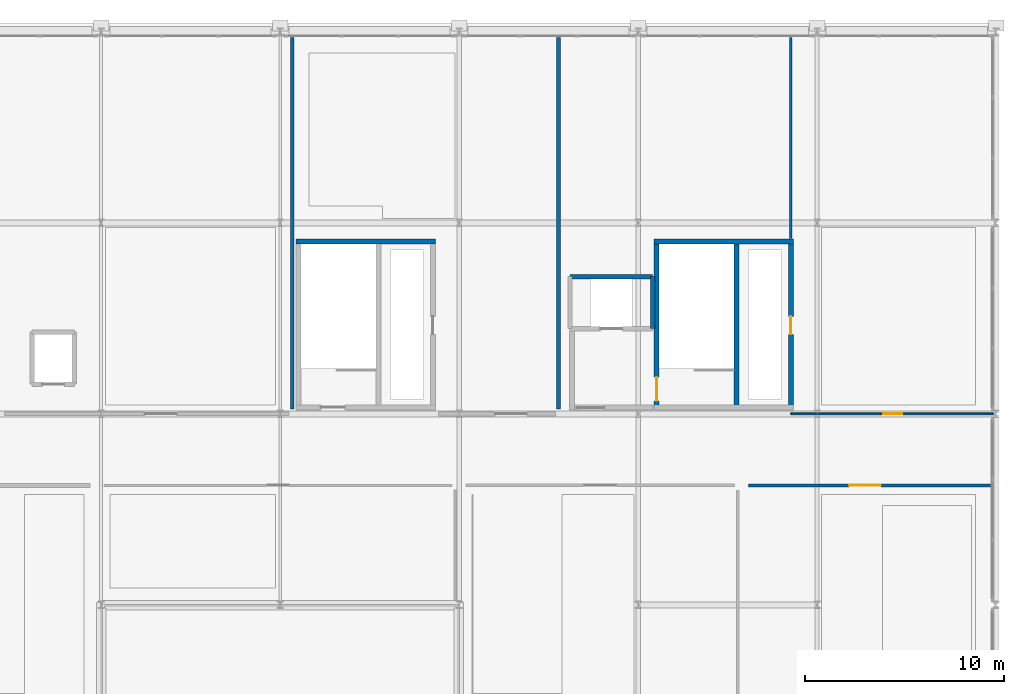
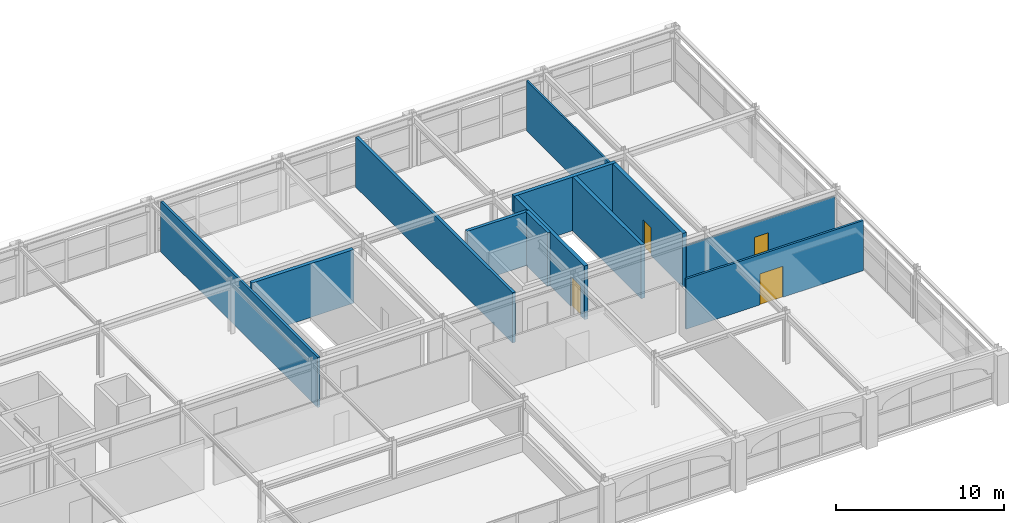
# One storey, part 22 of 25: 12 walls, 4 doors, 4 openings.
"""IFC4 building model written with IfcOpenShell, lengths in metres."""

from ifc_helpers import new_model, si_unit, direction, frame, frame_2d, origin, place, context, subcontext, project, spatial, rectangle, extrude, material, layer, layer_set, type_object, element, fill, save


model = new_model("IFC4")

# Units and contexts
model_context = context("Model", 3, precision=1e-05, world=origin(), true_north=direction((0.0, 1.0)))
body_context = subcontext(model_context, "Body", "Model", "MODEL_VIEW")
ifc_project = project(units=[si_unit("LENGTHUNIT", "METRE"), si_unit("AREAUNIT", "SQUARE_METRE"), si_unit("VOLUMEUNIT", "CUBIC_METRE"), si_unit("PLANEANGLEUNIT", "RADIAN"), si_unit("MASSUNIT", "GRAM", prefix="KILO")], contexts=[model_context])

# Site, building, storey
site_placement = place(None, origin())
site = spatial("IfcSite", under=ifc_project, at=site_placement, CompositionType="ELEMENT")
building_placement = place(site_placement, origin())
building = spatial("IfcBuilding", under=site, at=building_placement, Name="Myrtia Square Station", CompositionType="ELEMENT")
storey_placement = place(building_placement, frame((0.0, 0.0, 18.89990234375)))
storey = spatial("IfcBuildingStorey", under=building, at=storey_placement, Name="L04", CompositionType="ELEMENT", Elevation=18.89990234375)

# Wall
ifc_material_1 = material(Name="Concrete C35/45", Category="concrete")
ifc_layer_1 = layer(ifc_material_1, 0.25, Name="Concrete C35/45")
ifc_layer_set_1 = layer_set([ifc_layer_1], Name="Concrete C35/45")
wall_type_1 = type_object("IfcWallType", Name="WL-CORE-250", PredefinedType="SHEAR", material=ifc_layer_set_1)
wall_1_placement = place(storey_placement, frame((171.800048828125, 114.27490234375, 0.0), z_axis=(0.0, 0.0, 1.0), x_axis=(1.0, 0.0, 0.0)))
element("IfcWall", 1, at=wall_1_placement, inside=storey, type_object=wall_type_1, Name="Core K8 shear wall L04 N", PredefinedType="SHEAR", context=body_context, shape_type="SweptSolid", body=[
    extrude(rectangle(XDim=7.0, YDim=0.25, at=frame_2d((3.5, 0.0))), origin(), (0.0, 0.0, 1.0), 3.900146484375),
])

# Wall, opening, door
wall_2_placement = place(storey_placement, frame((171.925048828125, 105.800048828125, 0.0), z_axis=(0.0, 0.0, 1.0), x_axis=(0.0, 1.0, 0.0)))
wall_2 = element("IfcWall", 2, at=wall_2_placement, inside=storey, type_object=wall_type_1, Name="Core K8 shear wall L04 W", PredefinedType="SHEAR", context=body_context, shape_type="SweptSolid", body=[
    extrude(rectangle(XDim=8.599853515625, YDim=0.25, at=frame_2d((4.2998046875, 0.0))), origin(), (0.0, 0.0, 1.0), 3.900146484375),
])
opening_1_placement = place(wall_2_placement, frame((0.449951171875, 0.0, 0.0)))
opening_1 = element("IfcOpeningElement", 3, at=opening_1_placement, cuts=wall_2, Name="Opening SD-140", PredefinedType="OPENING", context=body_context, shape_type="SweptSolid", body=[
    extrude(rectangle(XDim=1.199951171875, YDim=2.14990234375, at=frame_2d((0.60009765625, 1.074951171875))), frame((0.0, 0.139892578125, 0.0), z_axis=(0.0, -1.0, 0.0), x_axis=(1.0, 0.0, 0.0)), (0.0, 0.0, 1.0), 0.280029296875),
])
ifc_material_2 = material(Name="Dark bronze anodised aluminium", Category="aluminium")
door_type_1 = type_object("IfcDoorType", Name="DR-STAIR-1200x2150", OperationType="NOTDEFINED", PredefinedType="DOOR", material=ifc_material_2)
door_1_placement = place(opening_1_placement, frame((1.199951171875, 0.0, 0.0), z_axis=(0.0, 0.0, 1.0), x_axis=(-1.0, 0.0, 0.0)))
door_1 = element("IfcDoor", 4, at=door_1_placement, inside=storey, type_object=door_type_1, Name="Protected stair fire door K8 L04", OperationType="SINGLE_SWING_RIGHT", OverallHeight=2.14990234375, OverallWidth=1.199951171875, PredefinedType="DOOR", context=body_context, shape_type="SweptSolid", body=[
    extrude(rectangle(XDim=1.199951171875, YDim=2.14990234375, at=frame_2d((0.60009765625, 1.074951171875))), frame((0.0, 0.02490234375, 0.0), z_axis=(0.0, -1.0, 0.0), x_axis=(1.0, 0.0, 0.0)), (0.0, 0.0, 1.0), 0.050048828125),
])
fill(opening_1, door_1)

wall_3_placement = place(storey_placement, frame((178.675048828125, 105.800048828125, 0.0), z_axis=(0.0, 0.0, 1.0), x_axis=(0.0, 1.0, 0.0)))
wall_3 = element("IfcWall", 5, at=wall_3_placement, inside=storey, type_object=wall_type_1, Name="Core K8 shear wall L04 E", PredefinedType="SHEAR", context=body_context, shape_type="SweptSolid", body=[
    extrude(rectangle(XDim=8.599853515625, YDim=0.25, at=frame_2d((4.2998046875, 0.0))), origin(), (0.0, 0.0, 1.0), 3.900146484375),
])
opening_2_placement = place(wall_3_placement, frame((3.800048828125, 0.0, 0.0)))
opening_2 = element("IfcOpeningElement", 6, at=opening_2_placement, cuts=wall_3, Name="Opening RD-141", PredefinedType="OPENING", context=body_context, shape_type="SweptSolid", body=[
    extrude(rectangle(XDim=0.89990234375, YDim=2.050048828125, at=frame_2d((0.449951171875, 1.02490234375))), frame((0.0, 0.139892578125, 0.0), z_axis=(0.0, -1.0, 0.0), x_axis=(1.0, 0.0, 0.0)), (0.0, 0.0, 1.0), 0.280029296875),
])
door_type_2 = type_object("IfcDoorType", Name="DR-RISER-900x2050", OperationType="NOTDEFINED", PredefinedType="DOOR", material=ifc_material_2)
door_2_placement = place(opening_2_placement, origin())
door_2 = element("IfcDoor", 7, at=door_2_placement, inside=storey, type_object=door_type_2, Name="Riser cupboard access door K8 L04", OperationType="SINGLE_SWING_LEFT", OverallHeight=2.050048828125, OverallWidth=0.89990234375, PredefinedType="DOOR", context=body_context, shape_type="SweptSolid", body=[
    extrude(rectangle(XDim=0.89990234375, YDim=2.050048828125, at=frame_2d((0.449951171875, 1.02490234375))), frame((0.0, 0.02490234375, 0.0), z_axis=(0.0, -1.0, 0.0), x_axis=(1.0, 0.0, 0.0)), (0.0, 0.0, 1.0), 0.050048828125),
])
fill(opening_2, door_2)

# Walls
wall_4_placement = place(storey_placement, frame((175.93994140625, 106.0, 0.0), z_axis=(0.0, 0.0, 1.0), x_axis=(0.0, 1.0, 0.0)))
element("IfcWall", 8, at=wall_4_placement, inside=storey, type_object=wall_type_1, Name="Core K8 shear wall L04 D", PredefinedType="SHEAR", context=body_context, shape_type="SweptSolid", body=[
    extrude(rectangle(XDim=8.199951171875, YDim=0.25, at=frame_2d((4.10009765625, 0.0))), origin(), (0.0, 0.0, 1.0), 3.900146484375),
])
wall_5_placement = place(storey_placement, frame((153.800048828125, 114.27490234375, 0.0), z_axis=(0.0, 0.0, 1.0), x_axis=(1.0, 0.0, 0.0)))
element("IfcWall", 9, at=wall_5_placement, inside=storey, type_object=wall_type_1, Name="Core K15 shear wall L04 N", PredefinedType="SHEAR", context=body_context, shape_type="SweptSolid", body=[
    extrude(rectangle(XDim=7.0, YDim=0.25, at=frame_2d((3.5, 0.0))), origin(), (0.0, 0.0, 1.0), 3.900146484375),
])
ifc_layer_2 = layer(ifc_material_1, 0.219970703125, Name="Concrete C35/45")
ifc_layer_set_2 = layer_set([ifc_layer_2], Name="Concrete C35/45")
wall_type_2 = type_object("IfcWallType", Name="WL-LIFT-220", PredefinedType="SHEAR", material=ifc_layer_set_2)
wall_6_placement = place(storey_placement, frame((167.570068359375, 112.5, 0.0), z_axis=(0.0, 0.0, 1.0), x_axis=(1.0, 0.0, 0.0)))
element("IfcWall", 10, at=wall_6_placement, inside=storey, type_object=wall_type_2, Name="Lift shaft wall FFL-04 L04 +Y", PredefinedType="SHEAR", context=body_context, shape_type="SweptSolid", body=[
    extrude(rectangle(XDim=4.159912109375, YDim=0.219970703125, at=frame_2d((2.080078125, 0.0))), origin(), (0.0, 0.0, 1.0), 3.900146484375),
])
wall_7_placement = place(storey_placement, frame((171.72998046875, 109.8798828125, 0.0), z_axis=(0.0, 0.0, 1.0), x_axis=(0.0, 1.0, 0.0)))
element("IfcWall", 11, at=wall_7_placement, inside=storey, type_object=wall_type_2, Name="Lift shaft wall FFL-04 L04 +X", PredefinedType="SHEAR", context=body_context, shape_type="SweptSolid", body=[
    extrude(rectangle(XDim=2.6201171875, YDim=0.219970703125, at=frame_2d((1.31005859375, 0.0))), origin(), (0.0, 0.0, 1.0), 3.900146484375),
])

# Wall, opening, door
ifc_material_3 = material(Name="Gypsum plasterboard")
ifc_layer_3 = layer(ifc_material_3, 0.10009765625, Name="Gypsum plasterboard")
ifc_layer_set_3 = layer_set([ifc_layer_3], Name="Gypsum plasterboard")
wall_type_3 = type_object("IfcWallType", Name="WL-PART-100", PredefinedType="PARTITIONING", material=ifc_layer_set_3)
wall_8_placement = place(storey_placement, frame((178.679931640625, 105.60009765625, 0.0), z_axis=(0.0, 0.0, 1.0), x_axis=(1.0, 0.0, 0.0)))
wall_8 = element("IfcWall", 12, at=wall_8_placement, inside=storey, type_object=wall_type_3, Name="Interior partition wall L04-08", PredefinedType="PARTITIONING", context=body_context, shape_type="SweptSolid", body=[
    extrude(rectangle(XDim=10.1650390625, YDim=0.10009765625, at=frame_2d((5.08251953125, 0.0))), origin(), (0.0, 0.0, 1.0), 3.135009765625),
])
opening_3_placement = place(wall_8_placement, frame((4.64501953125, 0.0, 0.0)))
opening_3 = element("IfcOpeningElement", 13, at=opening_3_placement, cuts=wall_8, Name="Opening D-285", PredefinedType="OPENING", context=body_context, shape_type="SweptSolid", body=[
    extrude(rectangle(XDim=0.949951171875, YDim=2.10009765625, at=frame_2d((0.47509765625, 1.050048828125))), frame((0.0, 0.06494140625, 0.0), z_axis=(0.0, -1.0, 0.0), x_axis=(1.0, 0.0, 0.0)), (0.0, 0.0, 1.0), 0.130126953125),
])
ifc_material_4 = material(Name="Acoustic European oak timber", Category="wood")
door_type_3 = type_object("IfcDoorType", Name="DR-WC-950x2100", OperationType="NOTDEFINED", PredefinedType="DOOR", material=ifc_material_4)
door_3_placement = place(opening_3_placement, frame((0.949951171875, 0.0, 0.0), z_axis=(0.0, 0.0, 1.0), x_axis=(-1.0, 0.0, 0.0)))
door_3 = element("IfcDoor", 14, at=door_3_placement, inside=storey, type_object=door_type_3, Name="Management Floor Sanitary and Accessible WC door D-285", OperationType="SINGLE_SWING_RIGHT", OverallHeight=2.10009765625, OverallWidth=0.949951171875, PredefinedType="DOOR", context=body_context, shape_type="SweptSolid", body=[
    extrude(rectangle(XDim=0.949951171875, YDim=2.10009765625, at=frame_2d((0.47509765625, 1.050048828125))), frame((0.0, 0.02490234375, 0.0), z_axis=(0.0, -1.0, 0.0), x_axis=(1.0, 0.0, 0.0)), (0.0, 0.0, 1.0), 0.050048828125),
])
fill(opening_3, door_3)

# Wall
ifc_layer_4 = layer(ifc_material_3, 0.125, Name="Gypsum plasterboard")
ifc_layer_set_4 = layer_set([ifc_layer_4], Name="Gypsum plasterboard")
wall_type_4 = type_object("IfcWallType", Name="WL-PART-125", PredefinedType="PARTITIONING", material=ifc_layer_set_4)
wall_9_placement = place(storey_placement, frame((178.675048828125, 114.409912109375, 0.0), z_axis=(0.0, 0.0, 1.0), x_axis=(0.0, 1.0, 0.0)))
element("IfcWall", 15, at=wall_9_placement, inside=storey, type_object=wall_type_4, Name="Sanitary enclosure partition L04-08", PredefinedType="PARTITIONING", context=body_context, shape_type="SweptSolid", body=[
    extrude(rectangle(XDim=10.10009765625, YDim=0.125, at=frame_2d((5.050048828125, 0.0))), origin(), (0.0, 0.0, 1.0), 3.64013671875),
])

# Wall, opening, door
ifc_layer_5 = layer(ifc_material_3, 0.14990234375, Name="Gypsum plasterboard")
ifc_layer_set_5 = layer_set([ifc_layer_5], Name="Gypsum plasterboard")
wall_type_5 = type_object("IfcWallType", Name="WL-PART-150", PredefinedType="PARTITIONING", material=ifc_layer_set_5)
wall_10_placement = place(storey_placement, frame((176.550048828125, 102.0, 0.0), z_axis=(0.0, 0.0, 1.0), x_axis=(1.0, 0.0, 0.0)))
wall_10 = element("IfcWall", 16, at=wall_10_placement, inside=storey, type_object=wall_type_5, Name="Interior partition wall L04-04", PredefinedType="PARTITIONING", context=body_context, shape_type="SweptSolid", body=[
    extrude(rectangle(XDim=12.1650390625, YDim=0.14990234375, at=frame_2d((6.08251953125, 0.0))), origin(), (0.0, 0.0, 1.0), 3.64013671875),
])
opening_4_placement = place(wall_10_placement, frame((5.050048828125, 0.0, 0.0)))
opening_4 = element("IfcOpeningElement", 17, at=opening_4_placement, cuts=wall_10, Name="Opening D-282", PredefinedType="OPENING", context=body_context, shape_type="SweptSolid", body=[
    extrude(rectangle(XDim=1.60009765625, YDim=2.25, at=frame_2d((0.800048828125, 1.125))), frame((0.0, 0.08984375, 0.0), z_axis=(0.0, -1.0, 0.0), x_axis=(1.0, 0.0, 0.0)), (0.0, 0.0, 1.0), 0.179931640625),
])
door_type_4 = type_object("IfcDoorType", Name="DR-CORR-1600x2250", OperationType="NOTDEFINED", PredefinedType="DOOR", material=ifc_material_2)
door_4_placement = place(opening_4_placement, origin())
door_4 = element("IfcDoor", 18, at=door_4_placement, inside=storey, type_object=door_type_4, Name="Staff Training Classroom North door D-282", OperationType="DOUBLE_DOOR_SINGLE_SWING", OverallHeight=2.25, OverallWidth=1.60009765625, PredefinedType="DOOR", context=body_context, shape_type="SweptSolid", body=[
    extrude(rectangle(XDim=1.60009765625, YDim=2.25, at=frame_2d((0.800048828125, 1.125))), frame((0.0, 0.02490234375, 0.0), z_axis=(0.0, -1.0, 0.0), x_axis=(1.0, 0.0, 0.0)), (0.0, 0.0, 1.0), 0.050048828125),
])
fill(opening_4, door_4)

# Walls
ifc_material_5 = material(Name="Cream lime stucco on clay brick masonry", Category="masonry")
ifc_layer_6 = layer(ifc_material_5, 0.175048828125, Name="Cream lime stucco on clay brick masonry")
ifc_layer_set_6 = layer_set([ifc_layer_6], Name="Cream lime stucco on clay brick masonry")
wall_type_6 = type_object("IfcWallType", Name="WL-PART-175", PredefinedType="PARTITIONING", material=ifc_layer_set_6)
wall_11_placement = place(storey_placement, frame((153.60009765625, 105.85009765625, 0.0), z_axis=(0.0, 0.0, 1.0), x_axis=(0.0, 1.0, 0.0)))
element("IfcWall", 19, at=wall_11_placement, inside=storey, type_object=wall_type_6, Name="Room divider partition L04-05", PredefinedType="PARTITIONING", context=body_context, shape_type="SweptSolid", body=[
    extrude(rectangle(XDim=18.664794921875, YDim=0.175048828125, at=frame_2d((9.33251953125, 0.0))), origin(), (0.0, 0.0, 1.0), 3.64013671875),
])
ifc_layer_7 = layer(ifc_material_5, 0.199951171875, Name="Cream lime stucco on clay brick masonry")
ifc_layer_set_7 = layer_set([ifc_layer_7], Name="Cream lime stucco on clay brick masonry")
wall_type_7 = type_object("IfcWallType", Name="WL-PART-200", PredefinedType="PARTITIONING", material=ifc_layer_set_7)
wall_12_placement = place(storey_placement, frame((167.0, 105.85009765625, 0.0), z_axis=(0.0, 0.0, 1.0), x_axis=(0.0, 1.0, 0.0)))
element("IfcWall", 20, at=wall_12_placement, inside=storey, type_object=wall_type_7, Name="Room divider partition L04-06", PredefinedType="PARTITIONING", context=body_context, shape_type="SweptSolid", body=[
    extrude(rectangle(XDim=18.664794921875, YDim=0.199951171875, at=frame_2d((9.33251953125, 0.0))), origin(), (0.0, 0.0, 1.0), 3.64013671875),
])

save(model, "model.ifc")
